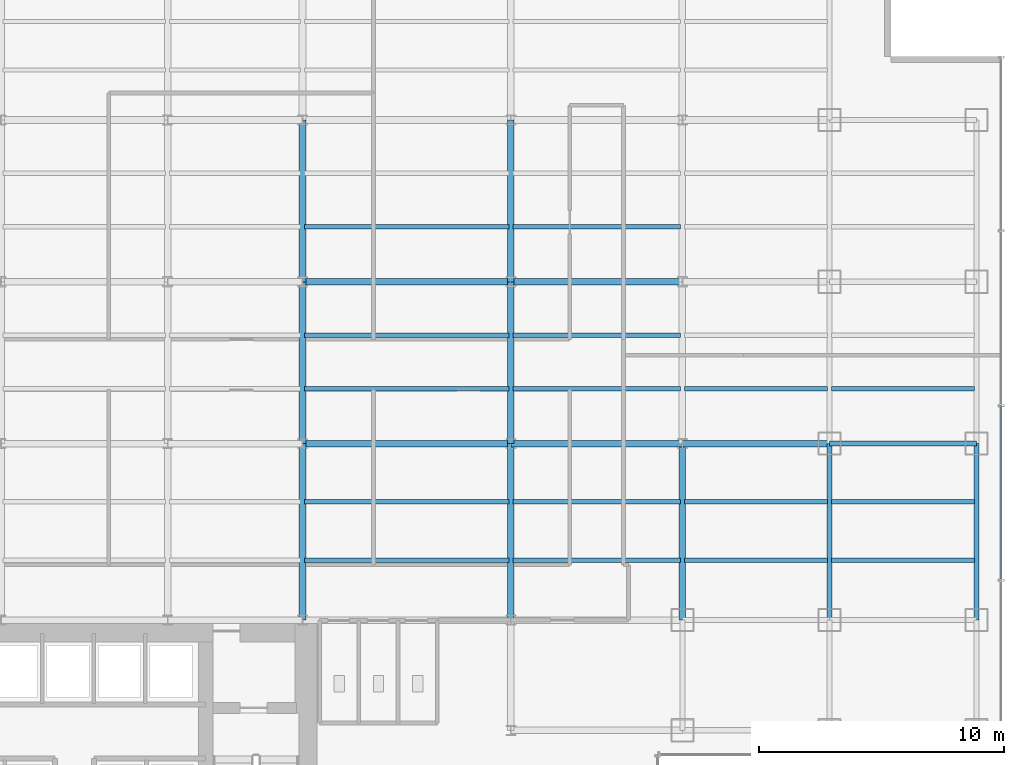
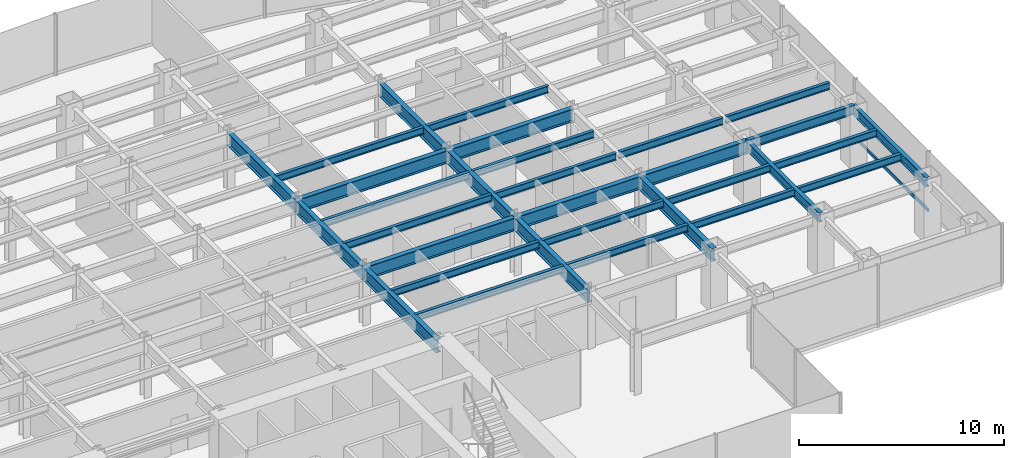
# One storey, part 8 of 23: 31 beams, 1 member, 1 element without a shape of its own.
"""IFC4 building model written with IfcOpenShell, lengths in metres."""

import ifcopenshell
import ifcopenshell.guid

model = None  # the IFC model being written
_history = None  # IfcOwnerHistory: only IFC2X3 demands one
_inside = {}  # id of a spatial element -> (the spatial element, [elements in it])
_under = {}  # id of a project, library or spatial element -> (it, [spatial elements below it])
_declared = {}  # id of a project -> (the project, [libraries it declares])
_typed = {}  # id of a type object -> (the type object, [elements of that type])
_made_of = {}  # id of a material, layer set ... -> (it, [elements and type objects made of it])


def new_model(schema):
    """Start an empty IFC model of exactly this schema.

    Asked for "IFC4X3", IfcOpenShell would pick the latest addendum, in which some entities
    have other attributes; the version numbers below select the first issue.
    IFC2X3 requires an IfcOwnerHistory on every rooted entity: one is made here for all.
    """
    global model, _history
    if schema == "IFC4X3":
        model = ifcopenshell.file(schema_version=(4, 3, 0, 0))
    else:
        model = ifcopenshell.file(schema=schema)
    _inside.clear()
    _under.clear()
    _declared.clear()
    _typed.clear()
    _made_of.clear()
    _history = None
    if model.schema == "IFC2X3":
        org = make("IfcOrganization", Name="unknown")
        user = make(
            "IfcPersonAndOrganization",
            ThePerson=make("IfcPerson", FamilyName="unknown"),
            TheOrganization=org,
        )
        app = make(
            "IfcApplication",
            ApplicationDeveloper=org,
            Version="unknown",
            ApplicationFullName="unknown",
            ApplicationIdentifier="unknown",
        )
        _history = make(
            "IfcOwnerHistory",
            OwningUser=user,
            OwningApplication=app,
            ChangeAction="ADDED",
            CreationDate=0,
        )
    return model


def make(cls, **values):
    """One entity of the class cls with the attributes given. An attribute that is None is left unset."""
    return model.create_entity(
        cls, **{name: value for name, value in values.items() if value is not None}
    )


def rooted(cls, **values):
    """An entity with a GlobalId (a new one), such as an element, a storey or a relation."""
    return make(cls, GlobalId=ifcopenshell.guid.new(), OwnerHistory=_history, **values)


def si_unit(unit_type, name, prefix=None):
    """IfcSIUnit, for example si_unit("LENGTHUNIT", "METRE", prefix="MILLI")."""
    return make("IfcSIUnit", UnitType=unit_type, Prefix=prefix, Name=name)


def derived_unit(unit_type, elements):
    """IfcDerivedUnit: a product of units, each with its exponent."""
    return make(
        "IfcDerivedUnit",
        Elements=[
            make("IfcDerivedUnitElement", Unit=unit, Exponent=power)
            for unit, power in elements
        ],
        UnitType=unit_type,
    )


def assignment(units):
    """IfcUnitAssignment: the units of a project."""
    return None if units is None else make("IfcUnitAssignment", Units=units)


def point(xyz):
    """IfcCartesianPoint."""
    return None if xyz is None else make("IfcCartesianPoint", Coordinates=xyz)


def direction(xyz):
    """IfcDirection."""
    return None if xyz is None else make("IfcDirection", DirectionRatios=xyz)


def frame(location, z_axis=None, x_axis=None):
    """IfcAxis2Placement3D, a coordinate frame: its origin and axes. An axis left out is left unset."""
    return make(
        "IfcAxis2Placement3D",
        Location=point(location),
        Axis=direction(z_axis),
        RefDirection=direction(x_axis),
    )


def frame_2d(location, x_axis=None):
    """IfcAxis2Placement2D, a coordinate frame in the plane: its origin and x axis."""
    return make(
        "IfcAxis2Placement2D", Location=point(location), RefDirection=direction(x_axis)
    )


def origin():
    """The frame at (0, 0, 0) with its axes left unset."""
    return frame((0.0, 0.0, 0.0))


def origin_2d():
    """The frame at (0, 0) in the plane with its x axis left unset."""
    return frame_2d((0.0, 0.0))


def place(relative_to, where):
    """IfcLocalPlacement: puts the frame where relative to a parent placement (None: the world)."""
    return make(
        "IfcLocalPlacement", PlacementRelTo=relative_to, RelativePlacement=where
    )


def context(
    kind, dimensions, precision=None, world=None, true_north=None, identifier=None
):
    """IfcGeometricRepresentationContext, for example the 3D "Model" context."""
    return make(
        "IfcGeometricRepresentationContext",
        ContextIdentifier=identifier,
        ContextType=kind,
        CoordinateSpaceDimension=dimensions,
        Precision=precision,
        WorldCoordinateSystem=world,
        TrueNorth=true_north,
    )


def subcontext(parent, identifier, kind, view, scale=None):
    """IfcGeometricRepresentationSubContext, for example "Body" below "Model"."""
    return make(
        "IfcGeometricRepresentationSubContext",
        ContextIdentifier=identifier,
        ContextType=kind,
        ParentContext=parent,
        TargetScale=scale,
        TargetView=view,
    )


def project(units=None, contexts=None):
    """IfcProject with its units and contexts."""
    return rooted(
        "IfcProject",
        Name="project",
        RepresentationContexts=contexts,
        UnitsInContext=assignment(units),
    )


def spatial(cls, under=None, at=None, **own):
    """A site, building, storey or space (cls), placed at a placement, below another one or the project."""
    s = rooted(cls, ObjectPlacement=at, **own)
    if under is not None:
        _under.setdefault(under.id(), (under, []))[1].append(s)
    return s


def profile(cls, at=None, kind="AREA", **sizes):
    """A parametric profile (cls). Its sizes go by their IFC names, for example OverallWidth=200.0."""
    return make(cls, ProfileType=kind, Position=at, **sizes)


def hollow_rectangle(**sizes):
    """IfcRectangleHollowProfileDef."""
    return profile("IfcRectangleHollowProfileDef", **sizes)


def i_section(**sizes):
    """IfcIShapeProfileDef."""
    return profile("IfcIShapeProfileDef", **sizes)


def extrude(swept, where, along, depth):
    """IfcExtrudedAreaSolid: the profile swept, set in the frame where, extruded along a direction by depth."""
    return make(
        "IfcExtrudedAreaSolid",
        SweptArea=swept,
        Position=where,
        ExtrudedDirection=direction(along),
        Depth=depth,
    )


def shape(context_of_items, identifier, shape_type, items):
    """IfcShapeRepresentation: the items that make up one representation, for example the "Body"."""
    return make(
        "IfcShapeRepresentation",
        ContextOfItems=context_of_items,
        RepresentationIdentifier=identifier,
        RepresentationType=shape_type,
        Items=items,
    )


def source(mapping_origin, context_of_items, identifier, shape_type, items):
    """IfcRepresentationMap: a shape defined once, which mapped items show again and again."""
    return make(
        "IfcRepresentationMap",
        MappingOrigin=mapping_origin,
        MappedRepresentation=shape(context_of_items, identifier, shape_type, items),
    )


def transform(
    local_origin,
    x_axis=None,
    y_axis=None,
    z_axis=None,
    scale=None,
    scale2=None,
    scale3=None,
    uniform=True,
):
    """IfcCartesianTransformationOperator3D, or its non-uniform kind. x_axis, y_axis, z_axis: its Axis1, 2, 3."""
    if uniform:
        return make(
            "IfcCartesianTransformationOperator3D",
            Axis1=direction(x_axis),
            Axis2=direction(y_axis),
            LocalOrigin=point(local_origin),
            Scale=scale,
            Axis3=direction(z_axis),
        )
    return make(
        "IfcCartesianTransformationOperator3DnonUniform",
        Axis1=direction(x_axis),
        Axis2=direction(y_axis),
        LocalOrigin=point(local_origin),
        Scale=scale,
        Axis3=direction(z_axis),
        Scale2=scale2,
        Scale3=scale3,
    )


def mapped(mapping_source, mapping_target):
    """IfcMappedItem: shows the shape of a source again, moved by a transform."""
    return make(
        "IfcMappedItem", MappingSource=mapping_source, MappingTarget=mapping_target
    )


def material(Name=None, Category=None):
    """IfcMaterial."""
    return make("IfcMaterial", Name=Name, Category=Category)


def material_profile(
    of_material, cross_section, Name=None, Category=None, Priority=None
):
    """IfcMaterialProfile: a cross section and its material."""
    return make(
        "IfcMaterialProfile",
        Name=Name,
        Material=of_material,
        Profile=cross_section,
        Priority=Priority,
        Category=Category,
    )


def profile_set(profiles, Name=None, composite=None):
    """IfcMaterialProfileSet."""
    return make(
        "IfcMaterialProfileSet",
        Name=Name,
        MaterialProfiles=profiles,
        CompositeProfile=composite,
    )


def made_of(thing, what):
    """Note that an element or type object is made of a material, layer set ...; save() writes the relation."""
    if what is not None:
        _made_of.setdefault(what.id(), (what, []))[1].append(thing)
    return thing


def type_object(cls, material=None, **own):
    """A type object (cls), such as IfcWallType, which elements share."""
    return made_of(rooted(cls, **own), material)


def element(
    cls,
    number,
    at=None,
    inside=None,
    cuts=None,
    type_object=None,
    material=None,
    context=None,
    identifier="Body",
    shape_type=None,
    held_by="IfcProductDefinitionShape",
    body=None,
    shapes=None,
    **own,
):
    """One element of the class cls, such as IfcWall. Its Tag is "e" and its number.

    at: its placement. inside: the storey or other place that contains it. cuts: it is an
    opening in that element (IfcRelVoidsElement). A single representation is given by context,
    identifier, shape_type and body (its items); several are given by shapes. held_by: the class
    of the entity that holds the representations. save() writes the other relations.
    """
    e = rooted(cls, Tag="e%d" % number, ObjectPlacement=at, **own)
    if body is not None:
        shapes = [shape(context, identifier, shape_type, body)]
    if shapes is not None:
        e.Representation = make(held_by, Representations=shapes)
    if inside is not None:
        _inside.setdefault(inside.id(), (inside, []))[1].append(e)
    if cuts is not None:
        rooted(
            "IfcRelVoidsElement", RelatingBuildingElement=cuts, RelatedOpeningElement=e
        )
    if type_object is not None:
        _typed.setdefault(type_object.id(), (type_object, []))[1].append(e)
    return made_of(e, material)


def aggregate(whole, parts):
    """IfcRelAggregates: a whole, such as a stair, and the parts it consists of."""
    return rooted("IfcRelAggregates", RelatingObject=whole, RelatedObjects=parts)


def save(model, path):
    """Write the relations noted so far, then the file.

    IfcRelAggregates (storeys below a building ...), IfcRelContainedInSpatialStructure (elements
    in a storey), IfcRelDefinesByType, IfcRelAssociatesMaterial and IfcRelDeclares: one each for
    every whole, place, type object, material and project.
    """
    for whole, parts in _under.values():
        aggregate(whole, parts)
    for where, things in _inside.values():
        rooted(
            "IfcRelContainedInSpatialStructure",
            RelatedElements=things,
            RelatingStructure=where,
        )
    for kind, things in _typed.values():
        rooted("IfcRelDefinesByType", RelatedObjects=things, RelatingType=kind)
    for what, things in _made_of.values():
        rooted("IfcRelAssociatesMaterial", RelatedObjects=things, RelatingMaterial=what)
    for by, libraries in _declared.values():
        rooted("IfcRelDeclares", RelatingContext=by, RelatedDefinitions=libraries)
    model.write(path)


model = new_model("IFC4")

# Units and contexts
model_context = context("Model", 3, precision=1e-05, world=origin(), true_north=direction((0.0, 1.0)))
body_context = subcontext(model_context, "Body", "Model", "MODEL_VIEW")
ifc_project = project(units=[si_unit("LENGTHUNIT", "METRE"), si_unit("AREAUNIT", "SQUARE_METRE"), si_unit("VOLUMEUNIT", "CUBIC_METRE"), si_unit("PLANEANGLEUNIT", "RADIAN"), si_unit("MASSUNIT", "GRAM", prefix="KILO"), derived_unit("THERMALTRANSMITTANCEUNIT", [(si_unit("POWERUNIT", "WATT"), 1), (si_unit("LENGTHUNIT", "METRE"), -2), (si_unit("THERMODYNAMICTEMPERATUREUNIT", "KELVIN"), -1)])], contexts=[model_context])

# Site, building, storey
site_placement = place(None, origin())
site = spatial("IfcSite", under=ifc_project, at=site_placement, CompositionType="ELEMENT")
building_placement = place(site_placement, origin())
building = spatial("IfcBuilding", under=site, at=building_placement, Name="Skarnbrae Concourse Arena and Tower", CompositionType="ELEMENT")
storey_placement = place(building_placement, frame((0.0, 0.0, 50.75)))
storey = spatial("IfcBuildingStorey", under=building, at=storey_placement, Name="L11", CompositionType="ELEMENT", Elevation=50.75)

# Beams
ifc_material_1 = material(Name="Steel CSA G40.21 350W", Category="steel")
ifc_material_profile_1 = material_profile(ifc_material_1, i_section(OverallWidth=0.26806640625, OverallDepth=0.77001953125, WebThickness=0.015625, FlangeThickness=0.025390625, at=origin_2d()), Name="W760X196")
ifc_profile_set_1 = profile_set([ifc_material_profile_1], Name="Steel CSA G40.21 350W")
beam_type_1 = type_object("IfcBeamType", Name="BM-GIRD-W760X196", PredefinedType="BEAM", material=ifc_profile_set_1)
shared_shape_1 = source(origin(), body_context, "Body", "SweptSolid", [
    extrude(i_section(OverallWidth=0.26806640625, OverallDepth=0.77001953125, WebThickness=0.015625, FlangeThickness=0.025390625, at=origin_2d()), origin(), (0.0, 0.0, 1.0), 7.0),
])
for number, where, z_axis, x_axis, name in (
    (1, (42.0, 21.199951171875, 3.014892578125), (1.0, 0.0, 0.0), (0.0, 1.0, 0.0), "L11 Primary E-W girder Y21.2-7"),
    (2, (42.0, 27.800048828125, 3.014892578125), (1.0, 0.0, 0.0), (0.0, 1.0, 0.0), "L11 Primary E-W girder Y27.8-7"),
):
    element("IfcBeam", number, at=place(storey_placement, frame(where, z_axis=z_axis, x_axis=x_axis)), inside=storey, type_object=beam_type_1, Name=name, PredefinedType="BEAM", context=body_context, shape_type="MappedRepresentation", body=[
        mapped(shared_shape_1, transform((0.0, 0.0, 0.0))),
    ])
ifc_material_profile_2 = material_profile(ifc_material_1, i_section(OverallWidth=0.214111328125, OverallDepth=0.549072265625, WebThickness=0.0146484375, FlangeThickness=0.023681640625, at=origin_2d()), Name="W530X138")
ifc_profile_set_2 = profile_set([ifc_material_profile_2], Name="Steel CSA G40.21 350W")
beam_type_2 = type_object("IfcBeamType", Name="BM-SPAN-W530X138", PredefinedType="SPANDREL", material=ifc_profile_set_2)
shared_shape_2 = source(origin(), body_context, "Body", "SweptSolid", [
    extrude(i_section(OverallWidth=0.214111328125, OverallDepth=0.549072265625, WebThickness=0.0146484375, FlangeThickness=0.023681640625, at=origin_2d()), origin(), (0.0, 0.0, 1.0), 6.0),
])
beam_1_placement = place(storey_placement, frame((55.0, 21.199951171875, 3.12548828125), z_axis=(1.0, 0.0, 0.0), x_axis=(0.0, 1.0, 0.0)))
element("IfcBeam", 3, at=beam_1_placement, inside=storey, type_object=beam_type_2, Name="L11 Perimeter spandrel Y21.2-9", PredefinedType="SPANDREL", context=body_context, shape_type="MappedRepresentation", body=[
    mapped(shared_shape_2, transform((0.0, 0.0, 0.0))),
])
shared_shape_3 = source(origin(), body_context, "Body", "SweptSolid", [
    extrude(i_section(OverallWidth=0.26806640625, OverallDepth=0.77001953125, WebThickness=0.015625, FlangeThickness=0.025390625, at=origin_2d()), origin(), (0.0, 0.0, 1.0), 6.60009765625),
])
for number, where, z_axis, x_axis, name in (
    (4, (33.5, 21.199951171875, 3.014892578125), (0.0, 1.0, 0.0), (-1.0, 0.0, 0.0), "L11 Primary N-S girder X33.5-2"),
    (5, (42.0, 21.199951171875, 3.014892578125), (0.0, 1.0, 0.0), (-1.0, 0.0, 0.0), "L11 Primary N-S girder X42.0-3"),
):
    element("IfcBeam", number, at=place(storey_placement, frame(where, z_axis=z_axis, x_axis=x_axis)), inside=storey, type_object=beam_type_1, Name=name, PredefinedType="BEAM", context=body_context, shape_type="MappedRepresentation", body=[
        mapped(shared_shape_3, transform((0.0, 0.0, 0.0))),
    ])
shared_shape_4 = source(origin(), body_context, "Body", "SweptSolid", [
    extrude(i_section(OverallWidth=0.26806640625, OverallDepth=0.77001953125, WebThickness=0.015625, FlangeThickness=0.025390625, at=origin_2d()), origin(), (0.0, 0.0, 1.0), 8.5),
])
for number, where, z_axis, x_axis, name in (
    (6, (33.5, 21.199951171875, 3.014892578125), (1.0, 0.0, 0.0), (0.0, 1.0, 0.0), "L11 Primary E-W girder Y21.2-6"),
    (7, (33.5, 27.800048828125, 3.014892578125), (1.0, 0.0, 0.0), (0.0, 1.0, 0.0), "L11 Primary E-W girder Y27.8-6"),
):
    element("IfcBeam", number, at=place(storey_placement, frame(where, z_axis=z_axis, x_axis=x_axis)), inside=storey, type_object=beam_type_1, Name=name, PredefinedType="BEAM", context=body_context, shape_type="MappedRepresentation", body=[
        mapped(shared_shape_4, transform((0.0, 0.0, 0.0))),
    ])
shared_shape_5 = source(origin(), body_context, "Body", "SweptSolid", [
    extrude(i_section(OverallWidth=0.26806640625, OverallDepth=0.77001953125, WebThickness=0.015625, FlangeThickness=0.025390625, at=origin_2d()), origin(), (0.0, 0.0, 1.0), 6.0),
])
beam_2_placement = place(storey_placement, frame((49.0, 21.199951171875, 3.014892578125), z_axis=(1.0, 0.0, 0.0), x_axis=(0.0, 1.0, 0.0)))
element("IfcBeam", 8, at=beam_2_placement, inside=storey, type_object=beam_type_1, Name="L11 Primary E-W girder Y21.2-8", PredefinedType="BEAM", context=body_context, shape_type="MappedRepresentation", body=[
    mapped(shared_shape_5, transform((0.0, 0.0, 0.0))),
])
shared_shape_6 = source(origin(), body_context, "Body", "SweptSolid", [
    extrude(i_section(OverallWidth=0.214111328125, OverallDepth=0.549072265625, WebThickness=0.0146484375, FlangeThickness=0.023681640625, at=origin_2d()), origin(), (0.0, 0.0, 1.0), 7.199951171875),
])
for number, where, z_axis, x_axis, name in (
    (9, (55.0, 14.0, 3.12548828125), (0.0, 1.0, 0.0), (-1.0, 0.0, 0.0), "L11 Perimeter spandrel X55.0-2"),
    (10, (61.0, 14.0, 3.12548828125), (0.0, 1.0, 0.0), (-1.0, 0.0, 0.0), "L11 Perimeter spandrel X61.0-2"),
):
    element("IfcBeam", number, at=place(storey_placement, frame(where, z_axis=z_axis, x_axis=x_axis)), inside=storey, type_object=beam_type_2, Name=name, PredefinedType="SPANDREL", context=body_context, shape_type="MappedRepresentation", body=[
        mapped(shared_shape_6, transform((0.0, 0.0, 0.0))),
    ])
shared_shape_7 = source(origin(), body_context, "Body", "SweptSolid", [
    extrude(i_section(OverallWidth=0.26806640625, OverallDepth=0.77001953125, WebThickness=0.015625, FlangeThickness=0.025390625, at=origin_2d()), origin(), (0.0, 0.0, 1.0), 7.199951171875),
])
for number, where, z_axis, x_axis, name in (
    (11, (33.5, 14.0, 3.014892578125), (0.0, 1.0, 0.0), (-1.0, 0.0, 0.0), "L11 Primary N-S girder X33.5-1"),
    (12, (42.0, 14.0, 3.014892578125), (0.0, 1.0, 0.0), (-1.0, 0.0, 0.0), "L11 Primary N-S girder X42.0-2"),
    (13, (49.0, 14.0, 3.014892578125), (0.0, 1.0, 0.0), (-1.0, 0.0, 0.0), "L11 Primary N-S girder X49.0-2"),
):
    element("IfcBeam", number, at=place(storey_placement, frame(where, z_axis=z_axis, x_axis=x_axis)), inside=storey, type_object=beam_type_1, Name=name, PredefinedType="BEAM", context=body_context, shape_type="MappedRepresentation", body=[
        mapped(shared_shape_7, transform((0.0, 0.0, 0.0))),
    ])
shared_shape_8 = source(origin(), body_context, "Body", "SweptSolid", [
    extrude(i_section(OverallWidth=0.26806640625, OverallDepth=0.77001953125, WebThickness=0.015625, FlangeThickness=0.025390625, at=origin_2d()), origin(), (0.0, 0.0, 1.0), 6.599853515625),
])
for number, where, z_axis, x_axis, name in (
    (14, (33.5, 27.800048828125, 3.014892578125), (0.0, 1.0, 0.0), (-1.0, 0.0, 0.0), "L11 Primary N-S girder X33.5-3"),
    (15, (42.0, 27.800048828125, 3.014892578125), (0.0, 1.0, 0.0), (-1.0, 0.0, 0.0), "L11 Primary N-S girder X42.0-4"),
):
    element("IfcBeam", number, at=place(storey_placement, frame(where, z_axis=z_axis, x_axis=x_axis)), inside=storey, type_object=beam_type_1, Name=name, PredefinedType="BEAM", context=body_context, shape_type="MappedRepresentation", body=[
        mapped(shared_shape_8, transform((0.0, 0.0, 0.0))),
    ])
ifc_material_profile_3 = material_profile(ifc_material_1, i_section(OverallWidth=0.180908203125, OverallDepth=0.4169921875, WebThickness=0.010986328125, FlangeThickness=0.018310546875, at=origin_2d()), Name="W410X85")
ifc_profile_set_3 = profile_set([ifc_material_profile_3], Name="Steel CSA G40.21 350W")
beam_type_3 = type_object("IfcBeamType", Name="BM-JOIST-W410X85", PredefinedType="JOIST", material=ifc_profile_set_3)
shared_shape_9 = source(origin(), body_context, "Body", "SweptSolid", [
    extrude(i_section(OverallWidth=0.180908203125, OverallDepth=0.4169921875, WebThickness=0.010986328125, FlangeThickness=0.018310546875, at=origin_2d()), origin(), (0.0, 0.0, 1.0), 8.33984375),
])
for number, where, z_axis, x_axis, name in (
    (16, (33.580078125, 16.447998046875, 3.19140625), (1.0, 0.0, 0.0), (0.0, 1.0, 0.0), "L11 Secondary floor joist 1.1.6"),
    (17, (33.580078125, 18.823974609375, 3.19140625), (1.0, 0.0, 0.0), (0.0, 1.0, 0.0), "L11 Secondary floor joist 1.2.6"),
    (18, (33.580078125, 23.444091796875, 3.19140625), (1.0, 0.0, 0.0), (0.0, 1.0, 0.0), "L11 Secondary floor joist 2.1.6"),
    (19, (33.580078125, 25.6220703125, 3.19140625), (1.0, 0.0, 0.0), (0.0, 1.0, 0.0), "L11 Secondary floor joist 2.2.6"),
    (20, (33.580078125, 30.0439453125, 3.19140625), (1.0, 0.0, 0.0), (0.0, 1.0, 0.0), "L11 Secondary floor joist 3.1.6"),
):
    element("IfcBeam", number, at=place(storey_placement, frame(where, z_axis=z_axis, x_axis=x_axis)), inside=storey, type_object=beam_type_3, Name=name, PredefinedType="JOIST", context=body_context, shape_type="MappedRepresentation", body=[
        mapped(shared_shape_9, transform((0.0, 0.0, 0.0))),
    ])
shared_shape_10 = source(origin(), body_context, "Body", "SweptSolid", [
    extrude(i_section(OverallWidth=0.180908203125, OverallDepth=0.4169921875, WebThickness=0.010986328125, FlangeThickness=0.018310546875, at=origin_2d()), origin(), (0.0, 0.0, 1.0), 6.83984375),
])
for number, where, z_axis, x_axis, name in (
    (21, (42.080078125, 16.447998046875, 3.19140625), (1.0, 0.0, 0.0), (0.0, 1.0, 0.0), "L11 Secondary floor joist 1.1.7"),
    (22, (42.080078125, 18.823974609375, 3.19140625), (1.0, 0.0, 0.0), (0.0, 1.0, 0.0), "L11 Secondary floor joist 1.2.7"),
    (23, (42.080078125, 23.444091796875, 3.19140625), (1.0, 0.0, 0.0), (0.0, 1.0, 0.0), "L11 Secondary floor joist 2.1.7"),
    (24, (42.080078125, 25.6220703125, 3.19140625), (1.0, 0.0, 0.0), (0.0, 1.0, 0.0), "L11 Secondary floor joist 2.2.7"),
    (25, (42.080078125, 30.0439453125, 3.19140625), (1.0, 0.0, 0.0), (0.0, 1.0, 0.0), "L11 Secondary floor joist 3.1.7"),
):
    element("IfcBeam", number, at=place(storey_placement, frame(where, z_axis=z_axis, x_axis=x_axis)), inside=storey, type_object=beam_type_3, Name=name, PredefinedType="JOIST", context=body_context, shape_type="MappedRepresentation", body=[
        mapped(shared_shape_10, transform((0.0, 0.0, 0.0))),
    ])
shared_shape_11 = source(origin(), body_context, "Body", "SweptSolid", [
    extrude(i_section(OverallWidth=0.180908203125, OverallDepth=0.4169921875, WebThickness=0.010986328125, FlangeThickness=0.018310546875, at=origin_2d()), origin(), (0.0, 0.0, 1.0), 5.83984375),
])
for number, where, z_axis, x_axis, name in (
    (26, (49.080078125, 16.447998046875, 3.19140625), (1.0, 0.0, 0.0), (0.0, 1.0, 0.0), "L11 Secondary floor joist 1.1.8"),
    (27, (55.080078125, 16.447998046875, 3.19140625), (1.0, 0.0, 0.0), (0.0, 1.0, 0.0), "L11 Secondary floor joist 1.1.9"),
    (28, (49.080078125, 18.823974609375, 3.19140625), (1.0, 0.0, 0.0), (0.0, 1.0, 0.0), "L11 Secondary floor joist 1.2.8"),
    (29, (55.080078125, 18.823974609375, 3.19140625), (1.0, 0.0, 0.0), (0.0, 1.0, 0.0), "L11 Secondary floor joist 1.2.9"),
    (30, (49.080078125, 23.444091796875, 3.19140625), (1.0, 0.0, 0.0), (0.0, 1.0, 0.0), "L11 Secondary floor joist 2.1.8"),
    (31, (55.080078125, 23.444091796875, 3.19140625), (1.0, 0.0, 0.0), (0.0, 1.0, 0.0), "L11 Secondary floor joist 2.1.9"),
):
    element("IfcBeam", number, at=place(storey_placement, frame(where, z_axis=z_axis, x_axis=x_axis)), inside=storey, type_object=beam_type_3, Name=name, PredefinedType="JOIST", context=body_context, shape_type="MappedRepresentation", body=[
        mapped(shared_shape_11, transform((0.0, 0.0, 0.0))),
    ])

# Curtain wall, member
ifc_material_2 = material(Name="Bronze anodised aluminium 6063-T6", Category="aluminium")
curtain_wall_type = type_object("IfcCurtainWallType", Name="CW-SYS-02-LOWZONE", PredefinedType="USERDEFINED", material=ifc_material_2)
curtain_wall_placement = place(storey_placement, origin())
curtain_wall = element("IfcCurtainWall", 32, at=curtain_wall_placement, inside=storey, type_object=curtain_wall_type, Name="L11 Unitised curtain wall CW-L11-E04", ObjectType="UNITISED CURTAIN WALL", PredefinedType="USERDEFINED")
ifc_material_profile_4 = material_profile(ifc_material_2, hollow_rectangle(XDim=0.080078125, YDim=0.18994140625, WallThickness=0.0048828125, at=origin_2d()), Name="ALU-TRAN-80X190")
ifc_profile_set_4 = profile_set([ifc_material_profile_4], Name="Bronze anodised aluminium 6063-T6")
member_type = type_object("IfcMemberType", Name="CWT-CW-02", PredefinedType="USERDEFINED", material=ifc_profile_set_4)
shared_shape_12 = source(origin(), body_context, "Body", "SweptSolid", [
    extrude(hollow_rectangle(XDim=0.080078125, YDim=0.18994140625, WallThickness=0.0048828125, at=origin_2d()), origin(), (0.0, 0.0, 1.0), 7.044921875),
])
member_placement = place(storey_placement, frame((62.0, 15.6650390625, 0.094970703125), z_axis=(0.0, 1.0, 0.0), x_axis=(-1.0, 0.0, 0.0)))
member = element("IfcMember", 33, at=member_placement, type_object=member_type, Name="CW-L11-E04 Transom 2", ObjectType="TRANSOM", PredefinedType="USERDEFINED", context=body_context, shape_type="MappedRepresentation", body=[
    mapped(shared_shape_12, transform((0.0, 0.0, 0.0))),
])
aggregate(curtain_wall, [member])

save(model, "model.ifc")
